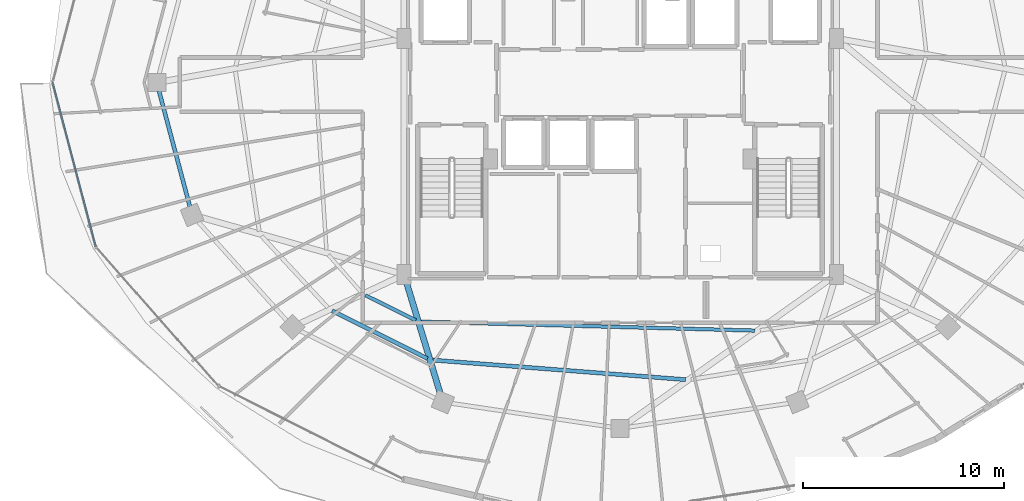
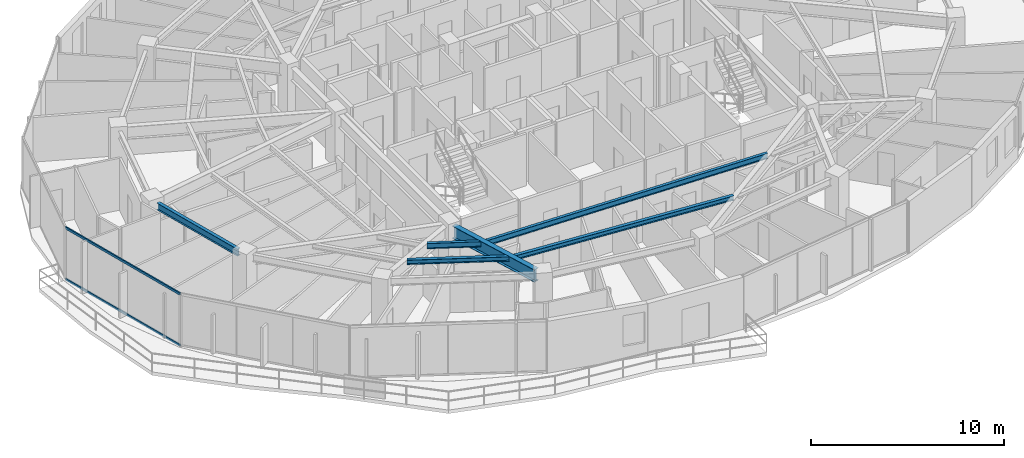
# One storey, part 6 of 33: 6 beams, 2 members, 1 element without a shape of its own.
"""IFC4 building model written with IfcOpenShell, lengths in metres."""

from ifc_helpers import new_model, si_unit, direction, frame, origin, origin_2d, place, context, subcontext, project, spatial, hollow_rectangle, i_section, extrude, material, material_profile, profile_set, type_object, element, aggregate, save


model = new_model("IFC4")

# Units and contexts
model_context = context("Model", 3, precision=1e-05, world=origin(), true_north=direction((0.0, 1.0)))
body_context = subcontext(model_context, "Body", "Model", "MODEL_VIEW")
ifc_project = project(units=[si_unit("LENGTHUNIT", "METRE"), si_unit("AREAUNIT", "SQUARE_METRE"), si_unit("VOLUMEUNIT", "CUBIC_METRE"), si_unit("PLANEANGLEUNIT", "RADIAN"), si_unit("MASSUNIT", "GRAM", prefix="KILO")], contexts=[model_context])

# Site, building, storey
site_placement = place(None, origin())
site = spatial("IfcSite", under=ifc_project, at=site_placement, CompositionType="ELEMENT")
building_placement = place(site_placement, origin())
building = spatial("IfcBuilding", under=site, at=building_placement, Name="Vorneva Point Tower", CompositionType="ELEMENT")
storey_placement = place(building_placement, frame((0.0, 0.0, 217.85009765625)))
storey = spatial("IfcBuildingStorey", under=building, at=storey_placement, Name="L59", CompositionType="ELEMENT", Elevation=217.85009765625)

# Beams
ifc_material_1 = material(Name="Steel S355", Category="steel")
ifc_material_profile_1 = material_profile(ifc_material_1, i_section(OverallWidth=0.300048828125, OverallDepth=0.7880859375, WebThickness=0.014404296875, FlangeThickness=0.02197265625, at=origin_2d()), Name="80Sh1")
ifc_profile_set_1 = profile_set([ifc_material_profile_1], Name="Steel S355")
beam_type_1 = type_object("IfcBeamType", Name="BM-GRD-80Sh1", PredefinedType="USERDEFINED", material=ifc_profile_set_1)
beam_1_placement = place(storey_placement, frame((29.051513671875, 10.5283203125, 2.89599609375), z_axis=(-0.291025429135, 0.956715317948, 0.0), x_axis=(-0.956715317948, -0.291025429135, 0.0)))
element("IfcBeam", 1, at=beam_1_placement, inside=storey, type_object=beam_type_1, Name="L59 Radial Primary Girder 12", ObjectType="GIRDER", PredefinedType="USERDEFINED", context=body_context, shape_type="SweptSolid", body=[
    extrude(i_section(OverallWidth=0.300048828125, OverallDepth=0.7880859375, WebThickness=0.014404296875, FlangeThickness=0.02197265625, at=origin_2d()), origin(), (0.0, 0.0, 1.0), 5.849609375),
])
ifc_material_profile_2 = material_profile(ifc_material_1, i_section(OverallWidth=0.199951171875, OverallDepth=0.291015625, WebThickness=0.008056640625, FlangeThickness=0.010986328125, at=origin_2d()), Name="30Sh1")
ifc_profile_set_2 = profile_set([ifc_material_profile_2], Name="Steel S355")
beam_type_2 = type_object("IfcBeamType", Name="BM-SEC-30Sh1", PredefinedType="BEAM", material=ifc_profile_set_2)
beam_2_placement = place(storey_placement, frame((23.67431640625, 14.646728515625, 3.144287109375), z_axis=(0.893966574165, -0.448133645552, 0.0), x_axis=(0.448133645552, 0.893966574165, 0.0)))
element("IfcBeam", 2, at=beam_2_placement, inside=storey, type_object=beam_type_2, Name="L59 Secondary Floor Beam 1.11", PredefinedType="BEAM", context=body_context, shape_type="SweptSolid", body=[
    extrude(i_section(OverallWidth=0.199951171875, OverallDepth=0.291015625, WebThickness=0.008056640625, FlangeThickness=0.010986328125, at=origin_2d()), origin(), (0.0, 0.0, 1.0), 5.3056640625),
])
beam_3_placement = place(storey_placement, frame((28.678466796875, 12.196533203125, 3.144287109375), z_axis=(0.997025265707, -0.077075414639, 0.0), x_axis=(0.077075414639, 0.997025265707, 0.0)))
element("IfcBeam", 3, at=beam_3_placement, inside=storey, type_object=beam_type_2, Name="L59 Secondary Floor Beam 1.12", PredefinedType="BEAM", context=body_context, shape_type="SweptSolid", body=[
    extrude(i_section(OverallWidth=0.199951171875, OverallDepth=0.291015625, WebThickness=0.008056640625, FlangeThickness=0.010986328125, at=origin_2d()), origin(), (0.0, 0.0, 1.0), 12.61328125),
])
ifc_material_profile_3 = material_profile(ifc_material_1, i_section(OverallWidth=0.174072265625, OverallDepth=0.345947265625, WebThickness=0.006103515625, FlangeThickness=0.009033203125, at=origin_2d()), Name="35B1")
ifc_profile_set_3 = profile_set([ifc_material_profile_3], Name="Steel S355")
beam_type_3 = type_object("IfcBeamType", Name="BM-SEC-35B1", PredefinedType="BEAM", material=ifc_profile_set_3)
beam_4_placement = place(storey_placement, frame((25.32177734375, 15.422607421875, 3.116943359375), z_axis=(0.895432586212, -0.445197128865, 0.0), x_axis=(0.445197128865, 0.895432586212, 0.0)))
element("IfcBeam", 4, at=beam_4_placement, inside=storey, type_object=beam_type_3, Name="L59 Secondary Floor Beam 2.11", PredefinedType="BEAM", context=body_context, shape_type="SweptSolid", body=[
    extrude(i_section(OverallWidth=0.174072265625, OverallDepth=0.345947265625, WebThickness=0.006103515625, FlangeThickness=0.009033203125, at=origin_2d()), origin(), (0.0, 0.0, 1.0), 2.810546875),
])
beam_5_placement = place(storey_placement, frame((28.099853515625, 14.106201171875, 3.116943359375), z_axis=(0.999646768073, -0.026577040474, 0.0), x_axis=(0.026577040474, 0.999646768073, 0.0)))
element("IfcBeam", 5, at=beam_5_placement, inside=storey, type_object=beam_type_3, Name="L59 Secondary Floor Beam 2.12", PredefinedType="BEAM", context=body_context, shape_type="SweptSolid", body=[
    extrude(i_section(OverallWidth=0.174072265625, OverallDepth=0.345947265625, WebThickness=0.006103515625, FlangeThickness=0.009033203125, at=origin_2d()), origin(), (0.0, 0.0, 1.0), 16.599365234375),
])
ifc_material_profile_4 = material_profile(ifc_material_1, i_section(OverallWidth=0.198974609375, OverallDepth=0.446044921875, WebThickness=0.008056640625, FlangeThickness=0.011962890625, at=origin_2d()), Name="45B1")
ifc_profile_set_4 = profile_set([ifc_material_profile_4], Name="Steel S355")
beam_type_4 = type_object("IfcBeamType", Name="BM-SPN-45B1", PredefinedType="SPANDREL", material=ifc_profile_set_4)
beam_6_placement = place(storey_placement, frame((15.06201171875, 25.57958984375, 3.06689453125), z_axis=(0.257578258003, -0.966257440336, 0.0), x_axis=(0.966257440336, 0.257578258003, 0.0)))
element("IfcBeam", 6, at=beam_6_placement, inside=storey, type_object=beam_type_4, Name="L59 Perimeter Spandrel Ring Beam 09", PredefinedType="SPANDREL", context=body_context, shape_type="SweptSolid", body=[
    extrude(i_section(OverallWidth=0.198974609375, OverallDepth=0.446044921875, WebThickness=0.008056640625, FlangeThickness=0.011962890625, at=origin_2d()), origin(), (0.0, 0.0, 1.0), 5.94189453125),
])

# Curtain wall, members
ifc_material_2 = material(Name="Pale anodised aluminium", Category="aluminium")
curtain_wall_type = type_object("IfcCurtainWallType", Name="CW-RES-SYS", PredefinedType="NOTDEFINED", material=ifc_material_2)
curtain_wall_placement = place(storey_placement, origin())
curtain_wall = element("IfcCurtainWall", 7, at=curtain_wall_placement, inside=storey, type_object=curtain_wall_type, Name="L59 Unitised Curtain Wall CW-L59-R02", PredefinedType="NOTDEFINED")
ifc_material_profile_5 = material_profile(ifc_material_2, hollow_rectangle(XDim=0.074951171875, YDim=0.14990234375, WallThickness=0.00390625, at=origin_2d()), Name="AL-TRN 150x75x4")
ifc_profile_set_5 = profile_set([ifc_material_profile_5], Name="Pale anodised aluminium")
member_type = type_object("IfcMemberType", Name="CW-TRN-150", PredefinedType="USERDEFINED", material=ifc_profile_set_5)
member_1_placement = place(storey_placement, frame((9.77001953125, 26.0, 0.02001953125), z_axis=(0.254362431281, -0.967108966742, 0.0), x_axis=(0.967108966742, 0.254362431281, 0.0)))
member_1 = element("IfcMember", 8, at=member_1_placement, type_object=member_type, Name="CW-L59-R02 Transom 03.1", ObjectType="TRANSOM", PredefinedType="USERDEFINED", context=body_context, shape_type="SweptSolid", body=[
    extrude(hollow_rectangle(XDim=0.074951171875, YDim=0.14990234375, WallThickness=0.00390625, at=origin_2d()), origin(), (0.0, 0.0, 1.0), 8.4482421875),
])
member_2_placement = place(storey_placement, frame((9.77001953125, 26.0, 3.27001953125), z_axis=(0.254362431281, -0.967108966742, 0.0), x_axis=(0.967108966742, 0.254362431281, 0.0)))
member_2 = element("IfcMember", 9, at=member_2_placement, type_object=member_type, Name="CW-L59-R02 Transom 03.2", ObjectType="TRANSOM", PredefinedType="USERDEFINED", context=body_context, shape_type="SweptSolid", body=[
    extrude(hollow_rectangle(XDim=0.074951171875, YDim=0.14990234375, WallThickness=0.00390625, at=origin_2d()), origin(), (0.0, 0.0, 1.0), 8.4482421875),
])
aggregate(curtain_wall, [member_1, member_2])

save(model, "model.ifc")
